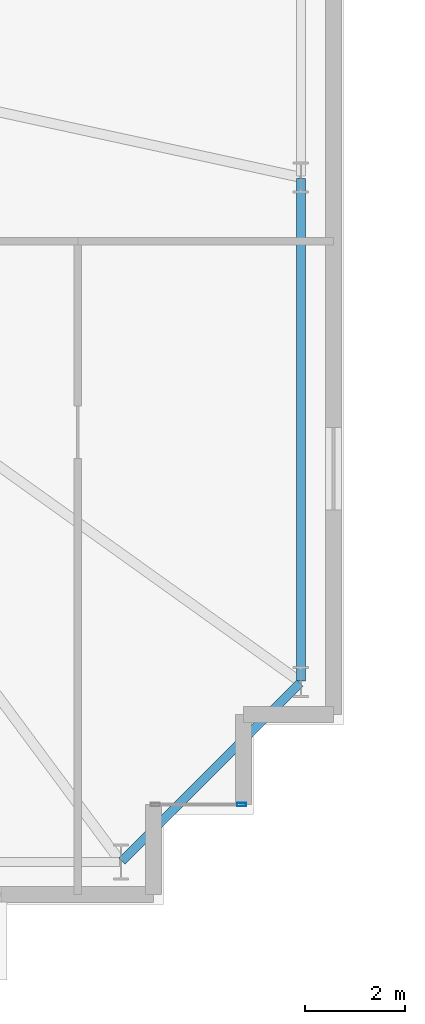
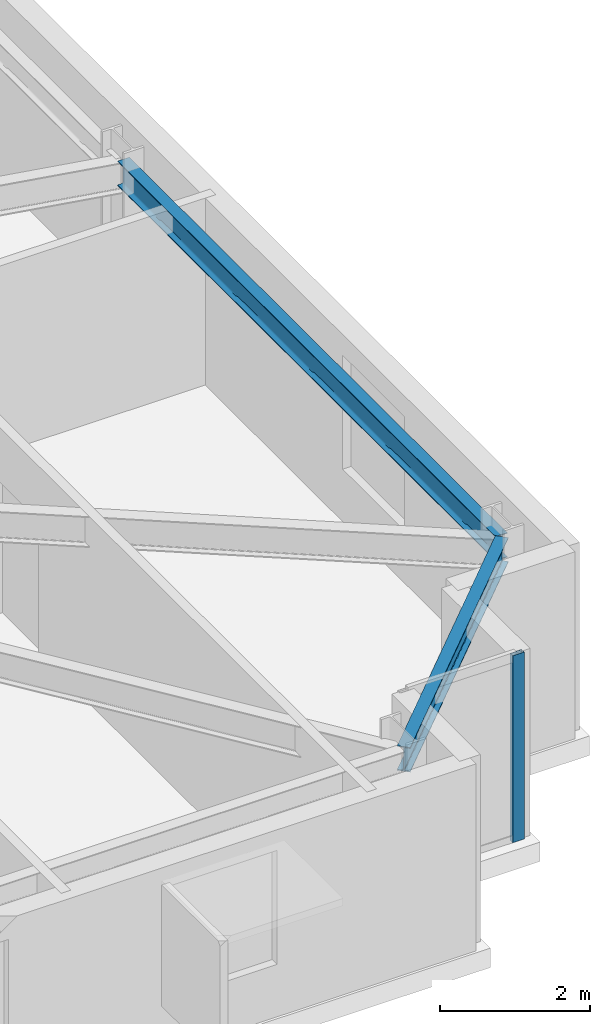
# One storey, part 10 of 21: 2 beams, 1 member, 1 element without a shape of its own.
"""IFC4 building model written with IfcOpenShell, lengths in metres."""

from ifc_helpers import new_model, si_unit, direction, frame, origin, origin_2d, place, context, subcontext, project, spatial, hollow_rectangle, i_section, extrude, material, layer, layer_set, material_profile, profile_set, type_object, element, aggregate, save


model = new_model("IFC4")

# Units and contexts
model_context = context("Model", 3, precision=1e-05, world=origin(), true_north=direction((0.0, 1.0)))
body_context = subcontext(model_context, "Body", "Model", "MODEL_VIEW")
ifc_project = project(units=[si_unit("LENGTHUNIT", "METRE"), si_unit("AREAUNIT", "SQUARE_METRE"), si_unit("VOLUMEUNIT", "CUBIC_METRE"), si_unit("PLANEANGLEUNIT", "RADIAN"), si_unit("MASSUNIT", "GRAM", prefix="KILO")], contexts=[model_context])

# Site, building, storey
site_placement = place(None, origin())
site = spatial("IfcSite", under=ifc_project, at=site_placement, CompositionType="ELEMENT")
building_placement = place(site_placement, origin())
building = spatial("IfcBuilding", under=site, at=building_placement, Name="Qobustan Lattice House", CompositionType="ELEMENT")
storey_placement = place(building_placement, frame((0.0, 0.0, 37.050048828125)))
storey = spatial("IfcBuildingStorey", under=building, at=storey_placement, Name="L09", CompositionType="ELEMENT", Elevation=37.050048828125)

# Beams
ifc_material_1 = material(Name="Steel S355", Category="steel")
ifc_material_profile_1 = material_profile(ifc_material_1, i_section(OverallWidth=0.179931640625, OverallDepth=0.39990234375, WebThickness=0.008544921875, FlangeThickness=0.013427734375, FilletRadius=0.02099609375, at=origin_2d()), Name="IPE400")
ifc_profile_set_1 = profile_set([ifc_material_profile_1], Name="Steel S355")
beam_type = type_object("IfcBeamType", Name="BM-SPD-IPE400", PredefinedType="SPANDREL", material=ifc_profile_set_1)
beam_1_placement = place(storey_placement, frame((28.567626953125, -18.732421875, 2.8349609375), z_axis=(0.707106781187, 0.707106781187, 0.0), x_axis=(-0.707106781187, 0.707106781187, 0.0)))
element("IfcBeam", 1, at=beam_1_placement, inside=storey, type_object=beam_type, Name="L09 perimeter spandrel S7-E1", PredefinedType="SPANDREL", context=body_context, shape_type="SweptSolid", body=[
    extrude(i_section(OverallWidth=0.179931640625, OverallDepth=0.39990234375, WebThickness=0.008544921875, FlangeThickness=0.013427734375, FilletRadius=0.02099609375, at=origin_2d()), origin(), (0.0, 0.0, 1.0), 5.041259765625),
])
beam_2_placement = place(storey_placement, frame((32.14990234375, -15.125, 2.8349609375), z_axis=(0.0, 1.0, 0.0), x_axis=(-1.0, 0.0, 0.0)))
element("IfcBeam", 2, at=beam_2_placement, inside=storey, type_object=beam_type, Name="L09 perimeter spandrel E1-E2", PredefinedType="SPANDREL", context=body_context, shape_type="SweptSolid", body=[
    extrude(i_section(OverallWidth=0.179931640625, OverallDepth=0.39990234375, WebThickness=0.008544921875, FlangeThickness=0.013427734375, FilletRadius=0.02099609375, at=origin_2d()), origin(), (0.0, 0.0, 1.0), 10.050048828125),
])

# Curtain wall, member
ifc_material_2 = material(Name="Anodised aluminium and low-E glazing", Category="aluminium")
ifc_layer = layer(ifc_material_2, 0.219970703125)
ifc_layer_set = layer_set([ifc_layer], Name="Anodised aluminium and low-E glazing")
curtain_wall_type = type_object("IfcCurtainWallType", Name="CW-FAC-01", PredefinedType="USERDEFINED", material=ifc_layer_set)
curtain_wall_placement = place(storey_placement, origin())
curtain_wall = element("IfcCurtainWall", 3, at=curtain_wall_placement, inside=storey, type_object=curtain_wall_type, Name="L09 serrated corner faceted glazing 18", ObjectType="CURTAIN WALL", PredefinedType="USERDEFINED")
ifc_material_3 = material(Name="Anodised aluminium EN AW-6063 T6", Category="aluminium")
ifc_material_profile_2 = material_profile(ifc_material_3, hollow_rectangle(XDim=0.070068359375, YDim=0.179931640625, WallThickness=0.00439453125, at=origin_2d()), Name="CWM-180x70")
ifc_profile_set_2 = profile_set([ifc_material_profile_2], Name="Anodised aluminium EN AW-6063 T6")
member_type = type_object("IfcMemberType", Name="CWM-STD-180", PredefinedType="MULLION", material=ifc_profile_set_2)
member_placement = place(storey_placement, frame((30.965087890625, -17.60009765625, 0.0), z_axis=(0.0, 0.0, 1.0), x_axis=(0.0, -1.0, 0.0)))
member = element("IfcMember", 4, at=member_placement, type_object=member_type, Name="CW-F1 mullion 1", PredefinedType="MULLION", context=body_context, shape_type="SweptSolid", body=[
    extrude(hollow_rectangle(XDim=0.070068359375, YDim=0.179931640625, WallThickness=0.00439453125, at=origin_2d()), origin(), (0.0, 0.0, 1.0), 3.034912109375),
])
aggregate(curtain_wall, [member])

save(model, "model.ifc")
